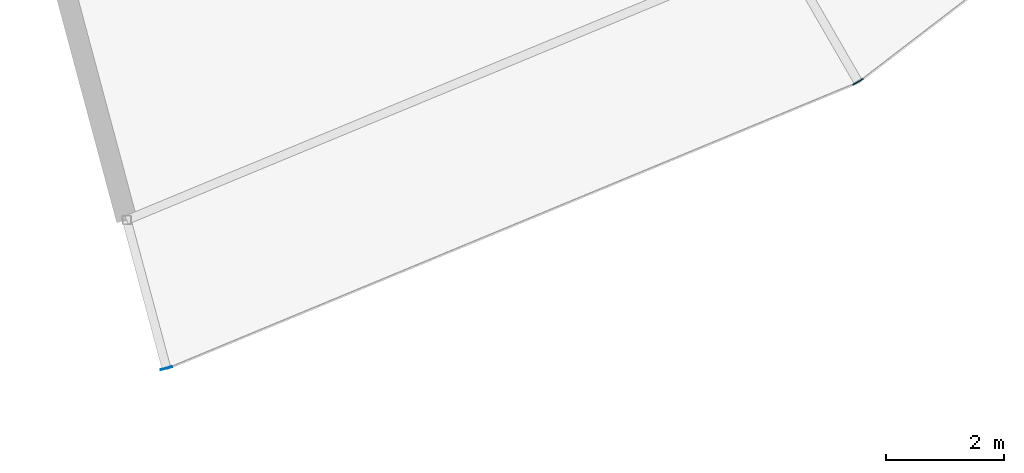
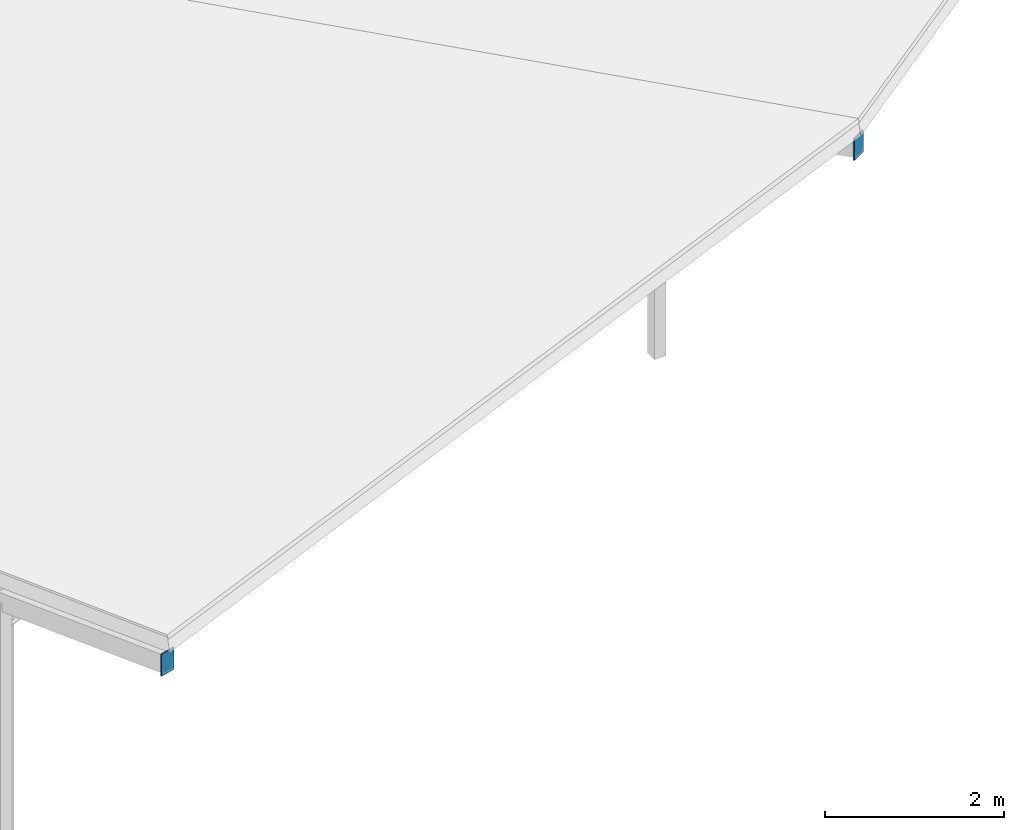
# One storey, part 150 of 185: 2 plates.
"""IFC4 building model written with IfcOpenShell, lengths in metres."""

from ifc_helpers import new_model, si_unit, direction, frame, origin, origin_2d, place, context, subcontext, project, spatial, rectangle, extrude, material, layer, layer_set, type_object, element, save


model = new_model("IFC4")

# Units and contexts
model_context = context("Model", 3, precision=1e-05, world=origin(), true_north=direction((0.0, 1.0)))
body_context = subcontext(model_context, "Body", "Model", "MODEL_VIEW")
ifc_project = project(units=[si_unit("LENGTHUNIT", "METRE"), si_unit("AREAUNIT", "SQUARE_METRE"), si_unit("VOLUMEUNIT", "CUBIC_METRE"), si_unit("PLANEANGLEUNIT", "RADIAN"), si_unit("MASSUNIT", "GRAM", prefix="KILO")], contexts=[model_context])

# Site, building, storey
site_placement = place(None, origin())
site = spatial("IfcSite", under=ifc_project, at=site_placement, CompositionType="ELEMENT")
building_placement = place(site_placement, origin())
building = spatial("IfcBuilding", under=site, at=building_placement, Name="Vondelvale Polytechnic", CompositionType="ELEMENT")
storey_placement = place(building_placement, frame((0.0, 0.0, 9.60009765625)))
storey = spatial("IfcBuildingStorey", under=building, at=storey_placement, Name="L02", CompositionType="ELEMENT", Elevation=9.60009765625)

# Plates
ifc_material = material(Name="Steel Grade 350 (fy = 340 MPa)", Category="steel")
ifc_layer = layer(ifc_material, 0.01611328125)
ifc_layer_set = layer_set([ifc_layer], Name="PLATE-CAP-300x200")
plate_type = type_object("IfcPlateType", Name="PLATE-CAP-300x200", PredefinedType="USERDEFINED", material=ifc_layer_set)
for number, where, z_axis, x_axis, name in (
    (1, (114.57861328125, 25.055908203125, 3.61572265625), (0.0, 0.0, 1.0), (-0.258819045103, 0.965925826289, 0.0), "Ring rafter hollow end cap plate 19O"),
    (2, (126.300048828125, 29.9111328125, 3.61572265625), (0.0, 0.0, 1.0), (-0.5, 0.866025403784, 0.0), "Ring rafter hollow end cap plate 20O"),
):
    element("IfcPlate", number, at=place(storey_placement, frame(where, z_axis=z_axis, x_axis=x_axis)), inside=storey, type_object=plate_type, Name=name, ObjectType="CAP_PLATE", PredefinedType="USERDEFINED", context=body_context, shape_type="SweptSolid", body=[
        extrude(rectangle(XDim=0.01611328125, YDim=0.199951171875, at=origin_2d()), origin(), (0.0, 0.0, 1.0), 0.300048828125),
    ])

save(model, "model.ifc")
